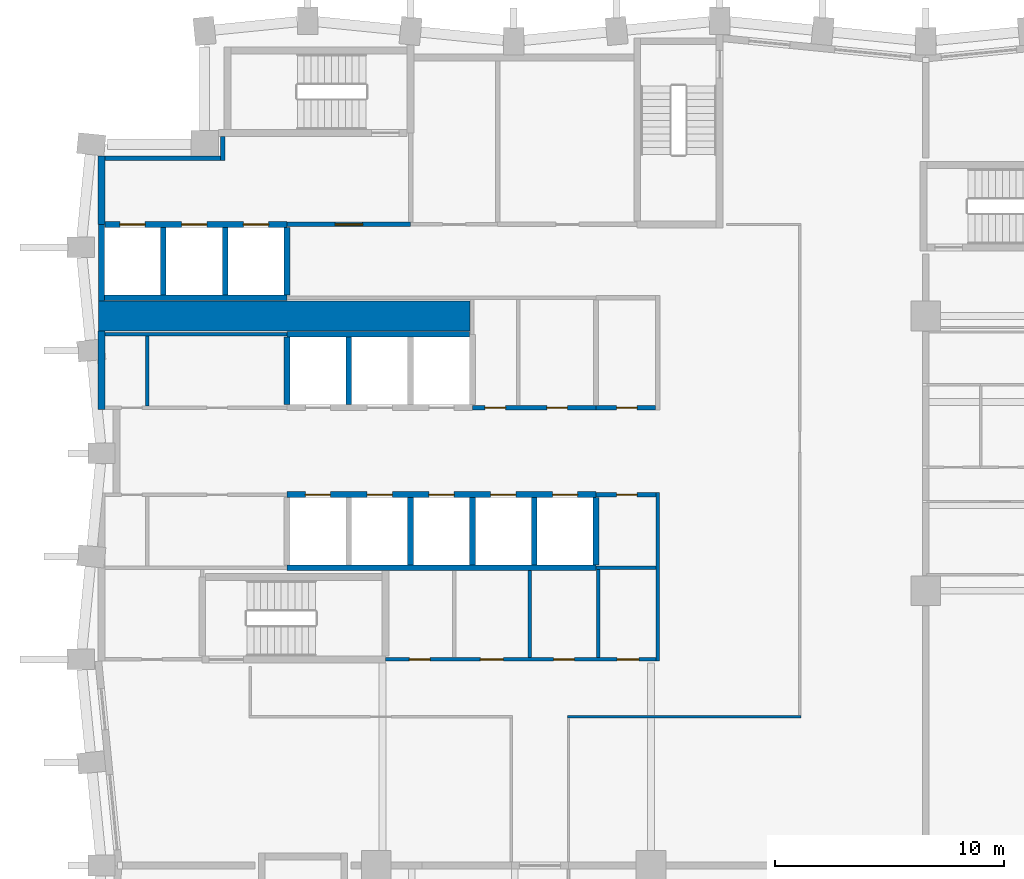
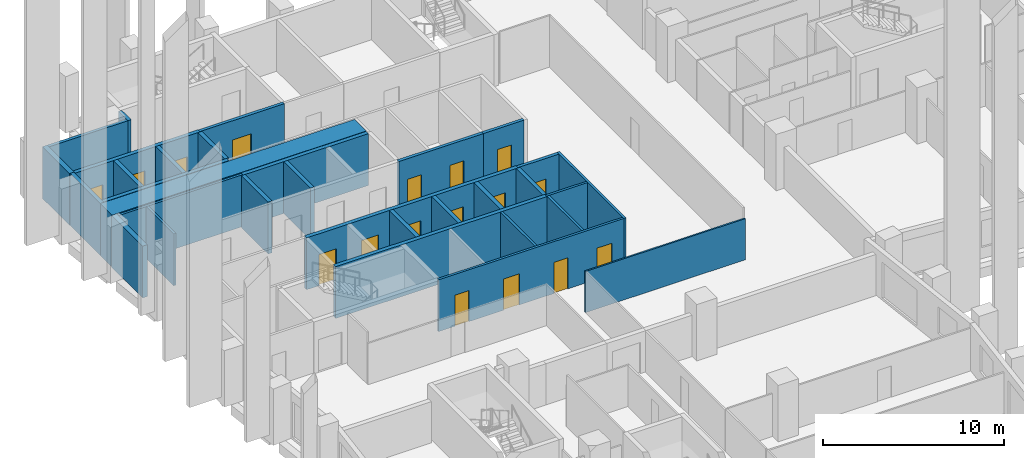
# One storey, part 6 of 12: 32 walls, 17 doors, 17 openings.
"""IFC4 building model written with IfcOpenShell, lengths in metres."""

from ifc_helpers import new_model, si_unit, direction, frame, frame_2d, origin, place, context, subcontext, project, spatial, rectangle, extrude, material, layer, layer_set, type_object, element, fill, save


model = new_model("IFC4")

# Units and contexts
model_context = context("Model", 3, precision=1e-05, world=origin(), true_north=direction((0.0, 1.0)))
body_context = subcontext(model_context, "Body", "Model", "MODEL_VIEW")
ifc_project = project(units=[si_unit("LENGTHUNIT", "METRE"), si_unit("AREAUNIT", "SQUARE_METRE"), si_unit("VOLUMEUNIT", "CUBIC_METRE"), si_unit("PLANEANGLEUNIT", "RADIAN"), si_unit("MASSUNIT", "GRAM", prefix="KILO")], contexts=[model_context])

# Site, building, storey
site_placement = place(None, origin())
site = spatial("IfcSite", under=ifc_project, at=site_placement, CompositionType="ELEMENT")
building_placement = place(site_placement, origin())
building = spatial("IfcBuilding", under=site, at=building_placement, Name="Brondeck Convention Tower", CompositionType="ELEMENT")
storey_placement = place(building_placement, frame((0.0, 0.0, 88.5)))
storey = spatial("IfcBuildingStorey", under=building, at=storey_placement, Name="L20", CompositionType="ELEMENT", Elevation=88.5)

# Wall, openings, doors
ifc_material_1 = material(Name="Concrete C70/85", Category="concrete")
ifc_layer_1 = layer(ifc_material_1, 0.14990234375)
ifc_layer_set_1 = layer_set([ifc_layer_1], Name="Core beam-seat wall 150 Concrete C70/85")
wall_type_1 = type_object("IfcWallType", Name="Core beam-seat wall 150 Concrete C70/85", PredefinedType="SHEAR", material=ifc_layer_set_1)
wall_1_placement = place(storey_placement, frame((12.39990234375, 36.0, 0.0), z_axis=(0.0, 0.0, 1.0), x_axis=(1.0, 0.0, 0.0)))
wall_1 = element("IfcWall", 1, at=wall_1_placement, inside=storey, type_object=wall_type_1, Name="L20 core wall", PredefinedType="SHEAR", context=body_context, shape_type="SweptSolid", body=[
    extrude(rectangle(XDim=11.8251953125, YDim=0.14990234375, at=frame_2d((5.91259765625, 0.0))), origin(), (0.0, 0.0, 1.0), 3.5),
])
opening_1_placement = place(wall_1_placement, frame((1.050048828125, 0.0, 0.0)))
opening_1 = element("IfcOpeningElement", 2, at=opening_1_placement, cuts=wall_1, Name="Opening C14-03", PredefinedType="OPENING", context=body_context, shape_type="SweptSolid", body=[
    extrude(rectangle(XDim=0.89990234375, YDim=2.10009765625, at=frame_2d((0.449951171875, 1.050048828125))), frame((0.0, 0.0849609375, 0.0), z_axis=(0.0, -1.0, 0.0), x_axis=(1.0, 0.0, 0.0)), (0.0, 0.0, 1.0), 0.169921875),
])
opening_2_placement = place(wall_1_placement, frame((4.14990234375, 0.0, 0.0)))
opening_2 = element("IfcOpeningElement", 3, at=opening_2_placement, cuts=wall_1, Name="Opening C14-04", PredefinedType="OPENING", context=body_context, shape_type="SweptSolid", body=[
    extrude(rectangle(XDim=1.0, YDim=2.10009765625, at=frame_2d((0.5, 1.050048828125))), frame((0.0, 0.0849609375, 0.0), z_axis=(0.0, -1.0, 0.0), x_axis=(1.0, 0.0, 0.0)), (0.0, 0.0, 1.0), 0.169921875),
])
opening_3_placement = place(wall_1_placement, frame((7.35009765625, 0.0, 0.0)))
opening_3 = element("IfcOpeningElement", 4, at=opening_3_placement, cuts=wall_1, Name="Opening C14-05", PredefinedType="OPENING", context=body_context, shape_type="SweptSolid", body=[
    extrude(rectangle(XDim=0.89990234375, YDim=2.10009765625, at=frame_2d((0.449951171875, 1.050048828125))), frame((0.0, 0.0849609375, 0.0), z_axis=(0.0, -1.0, 0.0), x_axis=(1.0, 0.0, 0.0)), (0.0, 0.0, 1.0), 0.169921875),
])
opening_4_placement = place(wall_1_placement, frame((10.125, 0.0, 0.0)))
opening_4 = element("IfcOpeningElement", 5, at=opening_4_placement, cuts=wall_1, Name="Opening C14-06", PredefinedType="OPENING", context=body_context, shape_type="SweptSolid", body=[
    extrude(rectangle(XDim=0.949951171875, YDim=2.10009765625, at=frame_2d((0.47509765625, 1.050048828125))), frame((0.0, 0.0849609375, 0.0), z_axis=(0.0, -1.0, 0.0), x_axis=(1.0, 0.0, 0.0)), (0.0, 0.0, 1.0), 0.169921875),
])
ifc_material_2 = material(Name="Steel fire door", Category="steel")
door_type_1 = type_object("IfcDoorType", Name="Room door 1000x2100 EI 60", OperationType="NOTDEFINED", PredefinedType="DOOR", material=ifc_material_2)
door_1_placement = place(opening_2_placement, origin())
door_1 = element("IfcDoor", 6, at=door_1_placement, inside=storey, type_object=door_type_1, Name="L20 Room door FR-2", OperationType="SINGLE_SWING_LEFT", OverallHeight=2.10009765625, OverallWidth=1.0, PredefinedType="DOOR", context=body_context, shape_type="SweptSolid", body=[
    extrude(rectangle(XDim=1.0, YDim=2.10009765625, at=frame_2d((0.5, 1.050048828125))), frame((0.0, 0.02490234375, 0.0), z_axis=(0.0, -1.0, 0.0), x_axis=(1.0, 0.0, 0.0)), (0.0, 0.0, 1.0), 0.050048828125),
])
fill(opening_2, door_1)
door_type_2 = type_object("IfcDoorType", Name="Room door 900x2100 EI 60", OperationType="NOTDEFINED", PredefinedType="DOOR", material=ifc_material_2)
door_2_placement = place(opening_1_placement, origin())
door_2 = element("IfcDoor", 7, at=door_2_placement, inside=storey, type_object=door_type_2, Name="L20 Room door FR-1", OperationType="SINGLE_SWING_RIGHT", OverallHeight=2.10009765625, OverallWidth=0.89990234375, PredefinedType="DOOR", context=body_context, shape_type="SweptSolid", body=[
    extrude(rectangle(XDim=0.89990234375, YDim=2.10009765625, at=frame_2d((0.449951171875, 1.050048828125))), frame((0.0, 0.02490234375, 0.0), z_axis=(0.0, -1.0, 0.0), x_axis=(1.0, 0.0, 0.0)), (0.0, 0.0, 1.0), 0.050048828125),
])
fill(opening_1, door_2)
door_3_placement = place(opening_3_placement, origin())
door_3 = element("IfcDoor", 8, at=door_3_placement, inside=storey, type_object=door_type_2, Name="L20 Room door FR-3", OperationType="SINGLE_SWING_RIGHT", OverallHeight=2.10009765625, OverallWidth=0.89990234375, PredefinedType="DOOR", context=body_context, shape_type="SweptSolid", body=[
    extrude(rectangle(XDim=0.89990234375, YDim=2.10009765625, at=frame_2d((0.449951171875, 1.050048828125))), frame((0.0, 0.02490234375, 0.0), z_axis=(0.0, -1.0, 0.0), x_axis=(1.0, 0.0, 0.0)), (0.0, 0.0, 1.0), 0.050048828125),
])
fill(opening_3, door_3)
door_type_3 = type_object("IfcDoorType", Name="Room door 950x2100 EI 60", OperationType="NOTDEFINED", PredefinedType="DOOR", material=ifc_material_2)
door_4_placement = place(opening_4_placement, origin())
door_4 = element("IfcDoor", 9, at=door_4_placement, inside=storey, type_object=door_type_3, Name="L20 Room door FR-4", OperationType="SINGLE_SWING_LEFT", OverallHeight=2.10009765625, OverallWidth=0.949951171875, PredefinedType="DOOR", context=body_context, shape_type="SweptSolid", body=[
    extrude(rectangle(XDim=0.949951171875, YDim=2.10009765625, at=frame_2d((0.47509765625, 1.050048828125))), frame((0.0, 0.02490234375, 0.0), z_axis=(0.0, -1.0, 0.0), x_axis=(1.0, 0.0, 0.0)), (0.0, 0.0, 1.0), 0.050048828125),
])
fill(opening_4, door_4)

# Walls
ifc_layer_2 = layer(ifc_material_1, 0.300048828125)
ifc_layer_set_2 = layer_set([ifc_layer_2], Name="Core outer wall 300 Concrete C70/85")
wall_type_2 = type_object("IfcWallType", Name="Core outer wall 300 Concrete C70/85", PredefinedType="SHEAR", material=ifc_layer_set_2)
wall_2_placement = place(storey_placement, frame((0.0, 46.925048828125, 0.0), z_axis=(0.0, 0.0, 1.0), x_axis=(0.0, 1.0, 0.0)))
element("IfcWall", 10, at=wall_2_placement, inside=storey, type_object=wall_type_2, Name="L20 core wall", PredefinedType="SHEAR", context=body_context, shape_type="SweptSolid", body=[
    extrude(rectangle(XDim=3.425048828125, YDim=0.300048828125, at=frame_2d((1.71240234375, 0.0))), origin(), (0.0, 0.0, 1.0), 3.5),
])
wall_3_placement = place(storey_placement, frame((0.0, 55.0, 0.0), z_axis=(0.0, 0.0, 1.0), x_axis=(0.0, 1.0, 0.0)))
element("IfcWall", 11, at=wall_3_placement, inside=storey, type_object=wall_type_2, Name="L20 core wall", PredefinedType="SHEAR", context=body_context, shape_type="SweptSolid", body=[
    extrude(rectangle(XDim=3.0, YDim=0.300048828125, at=frame_2d((1.5, 0.0))), origin(), (0.0, 0.0, 1.0), 3.5),
])
ifc_material_3 = material(Name="Fire-rated gypsum board partition")
ifc_layer_3 = layer(ifc_material_3, 0.14990234375)
ifc_layer_set_3 = layer_set([ifc_layer_3], Name="Core partition 150 EI 60")
wall_type_3 = type_object("IfcWallType", Name="Core partition 150 EI 60", PredefinedType="PARTITIONING", material=ifc_layer_set_3)
wall_4_placement = place(storey_placement, frame((21.60009765625, 40.0, 0.0), z_axis=(0.0, 0.0, 1.0), x_axis=(1.0, 0.0, 0.0)))
element("IfcWall", 12, at=wall_4_placement, inside=storey, type_object=wall_type_3, Name="L20 core wall", PredefinedType="PARTITIONING", context=body_context, shape_type="SweptSolid", body=[
    extrude(rectangle(XDim=2.625, YDim=0.14990234375, at=frame_2d((1.3125, 0.0))), origin(), (0.0, 0.0, 1.0), 3.5),
])
wall_5_placement = place(storey_placement, frame((0.14990234375, 50.199951171875, 0.0), z_axis=(0.0, 0.0, 1.0), x_axis=(1.0, 0.0, 0.0)))
element("IfcWall", 13, at=wall_5_placement, inside=storey, type_object=wall_type_3, Name="L20 core wall", PredefinedType="PARTITIONING", context=body_context, shape_type="SweptSolid", body=[
    extrude(rectangle(XDim=7.9501953125, YDim=0.14990234375, at=frame_2d((3.97509765625, 0.0))), origin(), (0.0, 0.0, 1.0), 3.5),
])
wall_6_placement = place(storey_placement, frame((2.0, 47.074951171875, 0.0), z_axis=(0.0, 0.0, 1.0), x_axis=(0.0, 1.0, 0.0)))
element("IfcWall", 14, at=wall_6_placement, inside=storey, type_object=wall_type_3, Name="L20 core wall", PredefinedType="PARTITIONING", context=body_context, shape_type="SweptSolid", body=[
    extrude(rectangle(XDim=3.050048828125, YDim=0.14990234375, at=frame_2d((1.52490234375, 0.0))), origin(), (0.0, 0.0, 1.0), 3.5),
])
wall_7_placement = place(storey_placement, frame((18.699951171875, 36.074951171875, 0.0), z_axis=(0.0, 0.0, 1.0), x_axis=(0.0, 1.0, 0.0)))
element("IfcWall", 15, at=wall_7_placement, inside=storey, type_object=wall_type_3, Name="L20 core wall", PredefinedType="PARTITIONING", context=body_context, shape_type="SweptSolid", body=[
    extrude(rectangle(XDim=3.800048828125, YDim=0.14990234375, at=frame_2d((1.89990234375, 0.0))), origin(), (0.0, 0.0, 1.0), 3.5),
])
wall_8_placement = place(storey_placement, frame((21.699951171875, 36.074951171875, 0.0), z_axis=(0.0, 0.0, 1.0), x_axis=(0.0, 1.0, 0.0)))
element("IfcWall", 16, at=wall_8_placement, inside=storey, type_object=wall_type_3, Name="L20 core wall", PredefinedType="PARTITIONING", context=body_context, shape_type="SweptSolid", body=[
    extrude(rectangle(XDim=3.85009765625, YDim=0.14990234375, at=frame_2d((1.925048828125, 0.0))), origin(), (0.0, 0.0, 1.0), 3.5),
])
wall_9_placement = place(storey_placement, frame((24.300048828125, 35.925048828125, 0.0), z_axis=(0.0, 0.0, 1.0), x_axis=(0.0, 1.0, 0.0)))
element("IfcWall", 17, at=wall_9_placement, inside=storey, type_object=wall_type_3, Name="L20 core wall", PredefinedType="PARTITIONING", context=body_context, shape_type="SweptSolid", body=[
    extrude(rectangle(XDim=7.375, YDim=0.14990234375, at=frame_2d((3.6875, 0.0))), origin(), (0.0, 0.0, 1.0), 3.5),
])
ifc_layer_4 = layer(ifc_material_1, 1.300048828125)
ifc_layer_set_4 = layer_set([ifc_layer_4], Name="Core shear wall 1300 Concrete C70/85")
wall_type_4 = type_object("IfcWallType", Name="Core shear wall 1300 Concrete C70/85", PredefinedType="SHEAR", material=ifc_layer_set_4)
wall_10_placement = place(storey_placement, frame((-0.125, 51.0, 0.0), z_axis=(0.0, 0.0, 1.0), x_axis=(1.0, 0.0, 0.0)))
element("IfcWall", 18, at=wall_10_placement, inside=storey, type_object=wall_type_4, Name="L20 core wall", PredefinedType="SHEAR", context=body_context, shape_type="SweptSolid", body=[
    extrude(rectangle(XDim=16.22509765625, YDim=1.300048828125, at=frame_2d((8.112548828125, 0.0))), origin(), (0.0, 0.0, 1.0), 3.5),
])

# Wall, opening, door
ifc_layer_5 = layer(ifc_material_3, 0.199951171875)
ifc_layer_set_5 = layer_set([ifc_layer_5], Name="Firefighting lobby wall 200 EI 120")
wall_type_5 = type_object("IfcWallType", Name="Firefighting lobby wall 200 EI 120", PredefinedType="PARTITIONING", material=ifc_layer_set_5)
wall_11_placement = place(storey_placement, frame((8.10009765625, 55.0, 0.0), z_axis=(0.0, 0.0, 1.0), x_axis=(1.0, 0.0, 0.0)))
wall_11 = element("IfcWall", 19, at=wall_11_placement, inside=storey, type_object=wall_type_5, Name="L20 core wall", PredefinedType="PARTITIONING", context=body_context, shape_type="SweptSolid", body=[
    extrude(rectangle(XDim=5.39990234375, YDim=0.199951171875, at=frame_2d((2.699951171875, 0.0))), origin(), (0.0, 0.0, 1.0), 3.5),
])
opening_5_placement = place(wall_11_placement, frame((2.10009765625, 0.0, 0.0)))
opening_5 = element("IfcOpeningElement", 20, at=opening_5_placement, cuts=wall_11, Name="Opening C14-01", PredefinedType="OPENING", context=body_context, shape_type="SweptSolid", body=[
    extrude(rectangle(XDim=1.199951171875, YDim=2.199951171875, at=frame_2d((0.60009765625, 1.10009765625))), frame((0.0, 0.10986328125, 0.0), z_axis=(0.0, -1.0, 0.0), x_axis=(1.0, 0.0, 0.0)), (0.0, 0.0, 1.0), 0.219970703125),
])
door_type_4 = type_object("IfcDoorType", Name="Firefighting lobby door 1200x2200 EI 120", OperationType="NOTDEFINED", PredefinedType="DOOR", material=ifc_material_2)
door_5_placement = place(opening_5_placement, origin())
door_5 = element("IfcDoor", 21, at=door_5_placement, inside=storey, type_object=door_type_4, Name="L20 Firefighting lobby door FFL-1", OperationType="SINGLE_SWING_RIGHT", OverallHeight=2.199951171875, OverallWidth=1.199951171875, PredefinedType="DOOR", context=body_context, shape_type="SweptSolid", body=[
    extrude(rectangle(XDim=1.199951171875, YDim=2.199951171875, at=frame_2d((0.60009765625, 1.10009765625))), frame((0.0, 0.02490234375, 0.0), z_axis=(0.0, -1.0, 0.0), x_axis=(1.0, 0.0, 0.0)), (0.0, 0.0, 1.0), 0.050048828125),
])
fill(opening_5, door_5)

# Walls
wall_12_placement = place(storey_placement, frame((0.14990234375, 57.89990234375, 0.0), z_axis=(0.0, 0.0, 1.0), x_axis=(1.0, 0.0, 0.0)))
element("IfcWall", 22, at=wall_12_placement, inside=storey, type_object=wall_type_5, Name="L20 core wall", PredefinedType="PARTITIONING", context=body_context, shape_type="SweptSolid", body=[
    extrude(rectangle(XDim=5.050048828125, YDim=0.199951171875, at=frame_2d((2.52490234375, 0.0))), origin(), (0.0, 0.0, 1.0), 3.5),
])
wall_13_placement = place(storey_placement, frame((5.300048828125, 57.800048828125, 0.0), z_axis=(0.0, 0.0, 1.0), x_axis=(0.0, 1.0, 0.0)))
element("IfcWall", 23, at=wall_13_placement, inside=storey, type_object=wall_type_5, Name="L20 core wall", PredefinedType="PARTITIONING", context=body_context, shape_type="SweptSolid", body=[
    extrude(rectangle(XDim=1.050048828125, YDim=0.199951171875, at=frame_2d((0.52490234375, 0.0))), origin(), (0.0, 0.0, 1.0), 3.5),
])

# Wall, opening, door
ifc_layer_6 = layer(ifc_material_3, 0.199951171875)
ifc_layer_set_6 = layer_set([ifc_layer_6], Name="Lift lobby wall 200 EI 60")
wall_type_6 = type_object("IfcWallType", Name="Lift lobby wall 200 EI 60", PredefinedType="PARTITIONING", material=ifc_layer_set_6)
wall_14_placement = place(storey_placement, frame((21.60009765625, 43.199951171875, 0.0), z_axis=(0.0, 0.0, 1.0), x_axis=(1.0, 0.0, 0.0)))
wall_14 = element("IfcWall", 24, at=wall_14_placement, inside=storey, type_object=wall_type_6, Name="L20 core wall", PredefinedType="PARTITIONING", context=body_context, shape_type="SweptSolid", body=[
    extrude(rectangle(XDim=2.625, YDim=0.199951171875, at=frame_2d((1.3125, 0.0))), origin(), (0.0, 0.0, 1.0), 3.5),
])
opening_6_placement = place(wall_14_placement, frame((0.89990234375, 0.0, 0.0)))
opening_6 = element("IfcOpeningElement", 25, at=opening_6_placement, cuts=wall_14, Name="Opening C14-14", PredefinedType="OPENING", context=body_context, shape_type="SweptSolid", body=[
    extrude(rectangle(XDim=0.89990234375, YDim=2.10009765625, at=frame_2d((0.449951171875, 1.050048828125))), frame((0.0, 0.10986328125, 0.0), z_axis=(0.0, -1.0, 0.0), x_axis=(1.0, 0.0, 0.0)), (0.0, 0.0, 1.0), 0.219970703125),
])
door_6_placement = place(opening_6_placement, origin())
door_6 = element("IfcDoor", 26, at=door_6_placement, inside=storey, type_object=door_type_2, Name="L20 Room door FZ-S-21.6-1", OperationType="SINGLE_SWING_RIGHT", OverallHeight=2.10009765625, OverallWidth=0.89990234375, PredefinedType="DOOR", context=body_context, shape_type="SweptSolid", body=[
    extrude(rectangle(XDim=0.89990234375, YDim=2.10009765625, at=frame_2d((0.449951171875, 1.050048828125))), frame((0.0, 0.02490234375, 0.0), z_axis=(0.0, -1.0, 0.0), x_axis=(1.0, 0.0, 0.0)), (0.0, 0.0, 1.0), 0.050048828125),
])
fill(opening_6, door_6)

# Wall, openings, doors
wall_15_placement = place(storey_placement, frame((16.199951171875, 47.0, 0.0), z_axis=(0.0, 0.0, 1.0), x_axis=(1.0, 0.0, 0.0)))
wall_15 = element("IfcWall", 27, at=wall_15_placement, inside=storey, type_object=wall_type_6, Name="L20 core wall", PredefinedType="PARTITIONING", context=body_context, shape_type="SweptSolid", body=[
    extrude(rectangle(XDim=5.400146484375, YDim=0.199951171875, at=frame_2d((2.7001953125, 0.0))), origin(), (0.0, 0.0, 1.0), 3.5),
])
opening_7_placement = place(wall_15_placement, frame((0.550048828125, 0.0, 0.0)))
opening_7 = element("IfcOpeningElement", 28, at=opening_7_placement, cuts=wall_15, Name="Opening C14-10", PredefinedType="OPENING", context=body_context, shape_type="SweptSolid", body=[
    extrude(rectangle(XDim=0.89990234375, YDim=2.10009765625, at=frame_2d((0.449951171875, 1.050048828125))), frame((0.0, 0.10986328125, 0.0), z_axis=(0.0, -1.0, 0.0), x_axis=(1.0, 0.0, 0.0)), (0.0, 0.0, 1.0), 0.219970703125),
])
opening_8_placement = place(wall_15_placement, frame((3.25, 0.0, 0.0)))
opening_8 = element("IfcOpeningElement", 29, at=opening_8_placement, cuts=wall_15, Name="Opening C14-11", PredefinedType="OPENING", context=body_context, shape_type="SweptSolid", body=[
    extrude(rectangle(XDim=0.89990234375, YDim=2.10009765625, at=frame_2d((0.449951171875, 1.050048828125))), frame((0.0, 0.10986328125, 0.0), z_axis=(0.0, -1.0, 0.0), x_axis=(1.0, 0.0, 0.0)), (0.0, 0.0, 1.0), 0.219970703125),
])
door_7_placement = place(opening_7_placement, origin())
door_7 = element("IfcDoor", 30, at=door_7_placement, inside=storey, type_object=door_type_2, Name="L20 Room door FZ-N-16.2-1", OperationType="SINGLE_SWING_LEFT", OverallHeight=2.10009765625, OverallWidth=0.89990234375, PredefinedType="DOOR", context=body_context, shape_type="SweptSolid", body=[
    extrude(rectangle(XDim=0.89990234375, YDim=2.10009765625, at=frame_2d((0.449951171875, 1.050048828125))), frame((0.0, 0.02490234375, 0.0), z_axis=(0.0, -1.0, 0.0), x_axis=(1.0, 0.0, 0.0)), (0.0, 0.0, 1.0), 0.050048828125),
])
fill(opening_7, door_7)
door_8_placement = place(opening_8_placement, origin())
door_8 = element("IfcDoor", 31, at=door_8_placement, inside=storey, type_object=door_type_2, Name="L20 Room door FZ-N-16.2-2", OperationType="SINGLE_SWING_RIGHT", OverallHeight=2.10009765625, OverallWidth=0.89990234375, PredefinedType="DOOR", context=body_context, shape_type="SweptSolid", body=[
    extrude(rectangle(XDim=0.89990234375, YDim=2.10009765625, at=frame_2d((0.449951171875, 1.050048828125))), frame((0.0, 0.02490234375, 0.0), z_axis=(0.0, -1.0, 0.0), x_axis=(1.0, 0.0, 0.0)), (0.0, 0.0, 1.0), 0.050048828125),
])
fill(opening_8, door_8)

# Wall
ifc_layer_7 = layer(ifc_material_1, 0.25)
ifc_layer_set_7 = layer_set([ifc_layer_7], Name="Lift shaft wall 250 Concrete C70/85")
wall_type_7 = type_object("IfcWallType", Name="Lift shaft wall 250 Concrete C70/85", PredefinedType="SHEAR", material=ifc_layer_set_7)
wall_16_placement = place(storey_placement, frame((8.10009765625, 40.0, 0.0), z_axis=(0.0, 0.0, 1.0), x_axis=(1.0, 0.0, 0.0)))
element("IfcWall", 32, at=wall_16_placement, inside=storey, type_object=wall_type_7, Name="L20 core wall", PredefinedType="SHEAR", context=body_context, shape_type="SweptSolid", body=[
    extrude(rectangle(XDim=13.5, YDim=0.25, at=frame_2d((6.75, 0.0))), origin(), (0.0, 0.0, 1.0), 3.5),
])

# Wall, openings, doors
wall_17_placement = place(storey_placement, frame((8.10009765625, 43.199951171875, 0.0), z_axis=(0.0, 0.0, 1.0), x_axis=(1.0, 0.0, 0.0)))
wall_17 = element("IfcWall", 33, at=wall_17_placement, inside=storey, type_object=wall_type_7, Name="L20 core wall", PredefinedType="SHEAR", context=body_context, shape_type="SweptSolid", body=[
    extrude(rectangle(XDim=13.5, YDim=0.25, at=frame_2d((6.75, 0.0))), origin(), (0.0, 0.0, 1.0), 3.5),
])
opening_9_placement = place(wall_17_placement, frame((0.800048828125, 0.0, 0.0)))
opening_9 = element("IfcOpeningElement", 34, at=opening_9_placement, cuts=wall_17, Name="Opening C14-27", PredefinedType="OPENING", context=body_context, shape_type="SweptSolid", body=[
    extrude(rectangle(XDim=1.10009765625, YDim=2.10009765625, at=frame_2d((0.550048828125, 1.050048828125))), frame((0.0, 0.135009765625, 0.0), z_axis=(0.0, -1.0, 0.0), x_axis=(1.0, 0.0, 0.0)), (0.0, 0.0, 1.0), 0.27001953125),
])
opening_10_placement = place(wall_17_placement, frame((3.5, 0.0, 0.0)))
opening_10 = element("IfcOpeningElement", 35, at=opening_10_placement, cuts=wall_17, Name="Opening C14-28", PredefinedType="OPENING", context=body_context, shape_type="SweptSolid", body=[
    extrude(rectangle(XDim=1.10009765625, YDim=2.10009765625, at=frame_2d((0.550048828125, 1.050048828125))), frame((0.0, 0.135009765625, 0.0), z_axis=(0.0, -1.0, 0.0), x_axis=(1.0, 0.0, 0.0)), (0.0, 0.0, 1.0), 0.27001953125),
])
opening_11_placement = place(wall_17_placement, frame((6.199951171875, 0.0, 0.0)))
opening_11 = element("IfcOpeningElement", 36, at=opening_11_placement, cuts=wall_17, Name="Opening C14-29", PredefinedType="OPENING", context=body_context, shape_type="SweptSolid", body=[
    extrude(rectangle(XDim=1.10009765625, YDim=2.10009765625, at=frame_2d((0.550048828125, 1.050048828125))), frame((0.0, 0.135009765625, 0.0), z_axis=(0.0, -1.0, 0.0), x_axis=(1.0, 0.0, 0.0)), (0.0, 0.0, 1.0), 0.27001953125),
])
opening_12_placement = place(wall_17_placement, frame((8.89990234375, 0.0, 0.0)))
opening_12 = element("IfcOpeningElement", 37, at=opening_12_placement, cuts=wall_17, Name="Opening C14-33", PredefinedType="OPENING", context=body_context, shape_type="SweptSolid", body=[
    extrude(rectangle(XDim=1.10009765625, YDim=2.10009765625, at=frame_2d((0.550048828125, 1.050048828125))), frame((0.0, 0.135009765625, 0.0), z_axis=(0.0, -1.0, 0.0), x_axis=(1.0, 0.0, 0.0)), (0.0, 0.0, 1.0), 0.27001953125),
])
opening_13_placement = place(wall_17_placement, frame((11.60009765625, 0.0, 0.0)))
opening_13 = element("IfcOpeningElement", 38, at=opening_13_placement, cuts=wall_17, Name="Opening C14-34", PredefinedType="OPENING", context=body_context, shape_type="SweptSolid", body=[
    extrude(rectangle(XDim=1.10009765625, YDim=2.10009765625, at=frame_2d((0.550048828125, 1.050048828125))), frame((0.0, 0.135009765625, 0.0), z_axis=(0.0, -1.0, 0.0), x_axis=(1.0, 0.0, 0.0)), (0.0, 0.0, 1.0), 0.27001953125),
])
ifc_material_4 = material(Name="Stainless steel lift door", Category="steel")
door_type_5 = type_object("IfcDoorType", Name="Lift landing door 1100x2100 EI 180", OperationType="DOUBLE_DOOR_SLIDING", PredefinedType="DOOR", material=ifc_material_4)
door_9_placement = place(opening_9_placement, origin())
door_9 = element("IfcDoor", 39, at=door_9_placement, inside=storey, type_object=door_type_5, Name="L20 Lift landing door LR1", OperationType="DOUBLE_DOOR_SLIDING", OverallHeight=2.10009765625, OverallWidth=1.10009765625, PredefinedType="DOOR", context=body_context, shape_type="SweptSolid", body=[
    extrude(rectangle(XDim=1.10009765625, YDim=2.10009765625, at=frame_2d((0.550048828125, 1.050048828125))), frame((0.0, 0.02490234375, 0.0), z_axis=(0.0, -1.0, 0.0), x_axis=(1.0, 0.0, 0.0)), (0.0, 0.0, 1.0), 0.050048828125),
])
fill(opening_9, door_9)
door_10_placement = place(opening_10_placement, origin())
door_10 = element("IfcDoor", 40, at=door_10_placement, inside=storey, type_object=door_type_5, Name="L20 Lift landing door LR2", OperationType="DOUBLE_DOOR_SLIDING", OverallHeight=2.10009765625, OverallWidth=1.10009765625, PredefinedType="DOOR", context=body_context, shape_type="SweptSolid", body=[
    extrude(rectangle(XDim=1.10009765625, YDim=2.10009765625, at=frame_2d((0.550048828125, 1.050048828125))), frame((0.0, 0.02490234375, 0.0), z_axis=(0.0, -1.0, 0.0), x_axis=(1.0, 0.0, 0.0)), (0.0, 0.0, 1.0), 0.050048828125),
])
fill(opening_10, door_10)
door_11_placement = place(opening_11_placement, origin())
door_11 = element("IfcDoor", 41, at=door_11_placement, inside=storey, type_object=door_type_5, Name="L20 Lift landing door LR3", OperationType="DOUBLE_DOOR_SLIDING", OverallHeight=2.10009765625, OverallWidth=1.10009765625, PredefinedType="DOOR", context=body_context, shape_type="SweptSolid", body=[
    extrude(rectangle(XDim=1.10009765625, YDim=2.10009765625, at=frame_2d((0.550048828125, 1.050048828125))), frame((0.0, 0.02490234375, 0.0), z_axis=(0.0, -1.0, 0.0), x_axis=(1.0, 0.0, 0.0)), (0.0, 0.0, 1.0), 0.050048828125),
])
fill(opening_11, door_11)
door_12_placement = place(opening_12_placement, origin())
door_12 = element("IfcDoor", 42, at=door_12_placement, inside=storey, type_object=door_type_5, Name="L20 Lift landing door SH1", OperationType="DOUBLE_DOOR_SLIDING", OverallHeight=2.10009765625, OverallWidth=1.10009765625, PredefinedType="DOOR", context=body_context, shape_type="SweptSolid", body=[
    extrude(rectangle(XDim=1.10009765625, YDim=2.10009765625, at=frame_2d((0.550048828125, 1.050048828125))), frame((0.0, 0.02490234375, 0.0), z_axis=(0.0, -1.0, 0.0), x_axis=(1.0, 0.0, 0.0)), (0.0, 0.0, 1.0), 0.050048828125),
])
fill(opening_12, door_12)
door_13_placement = place(opening_13_placement, origin())
door_13 = element("IfcDoor", 43, at=door_13_placement, inside=storey, type_object=door_type_5, Name="L20 Lift landing door SH2", OperationType="DOUBLE_DOOR_SLIDING", OverallHeight=2.10009765625, OverallWidth=1.10009765625, PredefinedType="DOOR", context=body_context, shape_type="SweptSolid", body=[
    extrude(rectangle(XDim=1.10009765625, YDim=2.10009765625, at=frame_2d((0.550048828125, 1.050048828125))), frame((0.0, 0.02490234375, 0.0), z_axis=(0.0, -1.0, 0.0), x_axis=(1.0, 0.0, 0.0)), (0.0, 0.0, 1.0), 0.050048828125),
])
fill(opening_13, door_13)

# Walls
wall_18_placement = place(storey_placement, frame((8.10009765625, 50.199951171875, 0.0), z_axis=(0.0, 0.0, 1.0), x_axis=(1.0, 0.0, 0.0)))
element("IfcWall", 44, at=wall_18_placement, inside=storey, type_object=wall_type_7, Name="L20 core wall", PredefinedType="SHEAR", context=body_context, shape_type="SweptSolid", body=[
    extrude(rectangle(XDim=7.974853515625, YDim=0.25, at=frame_2d((3.9873046875, 0.0))), origin(), (0.0, 0.0, 1.0), 3.5),
])
wall_19_placement = place(storey_placement, frame((0.125, 51.800048828125, 0.0), z_axis=(0.0, 0.0, 1.0), x_axis=(1.0, 0.0, 0.0)))
element("IfcWall", 45, at=wall_19_placement, inside=storey, type_object=wall_type_7, Name="L20 core wall", PredefinedType="SHEAR", context=body_context, shape_type="SweptSolid", body=[
    extrude(rectangle(XDim=7.97509765625, YDim=0.25, at=frame_2d((3.987548828125, 0.0))), origin(), (0.0, 0.0, 1.0), 3.5),
])

# Wall, openings, doors
wall_20_placement = place(storey_placement, frame((0.14990234375, 55.0, 0.0), z_axis=(0.0, 0.0, 1.0), x_axis=(1.0, 0.0, 0.0)))
wall_20 = element("IfcWall", 46, at=wall_20_placement, inside=storey, type_object=wall_type_7, Name="L20 core wall", PredefinedType="SHEAR", context=body_context, shape_type="SweptSolid", body=[
    extrude(rectangle(XDim=7.9501953125, YDim=0.25, at=frame_2d((3.97509765625, 0.0))), origin(), (0.0, 0.0, 1.0), 3.5),
])
opening_14_placement = place(wall_20_placement, frame((0.64990234375, 0.0, 0.0)))
opening_14 = element("IfcOpeningElement", 47, at=opening_14_placement, cuts=wall_20, Name="Opening C14-24", PredefinedType="OPENING", context=body_context, shape_type="SweptSolid", body=[
    extrude(rectangle(XDim=1.10009765625, YDim=2.10009765625, at=frame_2d((0.550048828125, 1.050048828125))), frame((0.0, 0.135009765625, 0.0), z_axis=(0.0, -1.0, 0.0), x_axis=(1.0, 0.0, 0.0)), (0.0, 0.0, 1.0), 0.27001953125),
])
opening_15_placement = place(wall_20_placement, frame((3.35009765625, 0.0, 0.0)))
opening_15 = element("IfcOpeningElement", 48, at=opening_15_placement, cuts=wall_20, Name="Opening C14-25", PredefinedType="OPENING", context=body_context, shape_type="SweptSolid", body=[
    extrude(rectangle(XDim=1.10009765625, YDim=2.10009765625, at=frame_2d((0.550048828125, 1.050048828125))), frame((0.0, 0.135009765625, 0.0), z_axis=(0.0, -1.0, 0.0), x_axis=(1.0, 0.0, 0.0)), (0.0, 0.0, 1.0), 0.27001953125),
])
opening_16_placement = place(wall_20_placement, frame((6.050048828125, 0.0, 0.0)))
opening_16 = element("IfcOpeningElement", 49, at=opening_16_placement, cuts=wall_20, Name="Opening C14-26", PredefinedType="OPENING", context=body_context, shape_type="SweptSolid", body=[
    extrude(rectangle(XDim=1.10009765625, YDim=2.10009765625, at=frame_2d((0.550048828125, 1.050048828125))), frame((0.0, 0.135009765625, 0.0), z_axis=(0.0, -1.0, 0.0), x_axis=(1.0, 0.0, 0.0)), (0.0, 0.0, 1.0), 0.27001953125),
])
door_14_placement = place(opening_14_placement, origin())
door_14 = element("IfcDoor", 50, at=door_14_placement, inside=storey, type_object=door_type_5, Name="L20 Lift landing door FF1", OperationType="DOUBLE_DOOR_SLIDING", OverallHeight=2.10009765625, OverallWidth=1.10009765625, PredefinedType="DOOR", context=body_context, shape_type="SweptSolid", body=[
    extrude(rectangle(XDim=1.10009765625, YDim=2.10009765625, at=frame_2d((0.550048828125, 1.050048828125))), frame((0.0, 0.02490234375, 0.0), z_axis=(0.0, -1.0, 0.0), x_axis=(1.0, 0.0, 0.0)), (0.0, 0.0, 1.0), 0.050048828125),
])
fill(opening_14, door_14)
door_15_placement = place(opening_15_placement, origin())
door_15 = element("IfcDoor", 51, at=door_15_placement, inside=storey, type_object=door_type_5, Name="L20 Lift landing door FF2", OperationType="DOUBLE_DOOR_SLIDING", OverallHeight=2.10009765625, OverallWidth=1.10009765625, PredefinedType="DOOR", context=body_context, shape_type="SweptSolid", body=[
    extrude(rectangle(XDim=1.10009765625, YDim=2.10009765625, at=frame_2d((0.550048828125, 1.050048828125))), frame((0.0, 0.02490234375, 0.0), z_axis=(0.0, -1.0, 0.0), x_axis=(1.0, 0.0, 0.0)), (0.0, 0.0, 1.0), 0.050048828125),
])
fill(opening_15, door_15)
door_16_placement = place(opening_16_placement, origin())
door_16 = element("IfcDoor", 52, at=door_16_placement, inside=storey, type_object=door_type_5, Name="L20 Lift landing door FF3", OperationType="DOUBLE_DOOR_SLIDING", OverallHeight=2.10009765625, OverallWidth=1.10009765625, PredefinedType="DOOR", context=body_context, shape_type="SweptSolid", body=[
    extrude(rectangle(XDim=1.10009765625, YDim=2.10009765625, at=frame_2d((0.550048828125, 1.050048828125))), frame((0.0, 0.02490234375, 0.0), z_axis=(0.0, -1.0, 0.0), x_axis=(1.0, 0.0, 0.0)), (0.0, 0.0, 1.0), 0.050048828125),
])
fill(opening_16, door_16)

# Walls
wall_21_placement = place(storey_placement, frame((0.0, 51.64990234375, 0.0), z_axis=(0.0, 0.0, 1.0), x_axis=(0.0, 1.0, 0.0)))
element("IfcWall", 53, at=wall_21_placement, inside=storey, type_object=wall_type_7, Name="L20 core wall", PredefinedType="SHEAR", context=body_context, shape_type="SweptSolid", body=[
    extrude(rectangle(XDim=3.35009765625, YDim=0.25, at=frame_2d((1.675048828125, 0.0))), origin(), (0.0, 0.0, 1.0), 3.5),
])
for number, where, z_axis, x_axis, name in (
    (54, (2.699951171875, 51.925048828125, 0.0), (0.0, 0.0, 1.0), (0.0, 1.0, 0.0), "L20 core wall"),
    (55, (5.39990234375, 51.925048828125, 0.0), (0.0, 0.0, 1.0), (0.0, 1.0, 0.0), "L20 core wall"),
    (56, (8.10009765625, 47.125, 0.0), (0.0, 0.0, 1.0), (0.0, 1.0, 0.0), "L20 core wall"),
    (57, (8.10009765625, 51.925048828125, 0.0), (0.0, 0.0, 1.0), (0.0, 1.0, 0.0), "L20 core wall"),
    (58, (10.800048828125, 47.125, 0.0), (0.0, 0.0, 1.0), (0.0, 1.0, 0.0), "L20 core wall"),
    (59, (13.5, 40.125, 0.0), (0.0, 0.0, 1.0), (0.0, 1.0, 0.0), "L20 core wall"),
    (60, (16.199951171875, 40.125, 0.0), (0.0, 0.0, 1.0), (0.0, 1.0, 0.0), "L20 core wall"),
    (61, (18.89990234375, 40.125, 0.0), (0.0, 0.0, 1.0), (0.0, 1.0, 0.0), "L20 core wall"),
    (62, (21.60009765625, 40.125, 0.0), (0.0, 0.0, 1.0), (0.0, 1.0, 0.0), "L20 core wall"),
):
    element("IfcWall", number, at=place(storey_placement, frame(where, z_axis=z_axis, x_axis=x_axis)), inside=storey, type_object=wall_type_7, Name=name, PredefinedType="SHEAR", context=body_context, shape_type="SweptSolid", body=[
        extrude(rectangle(XDim=2.949951171875, YDim=0.25, at=frame_2d((1.47509765625, 0.0))), origin(), (0.0, 0.0, 1.0), 3.5),
    ])

# Wall, opening, door
ifc_layer_8 = layer(ifc_material_3, 0.199951171875)
ifc_layer_set_8 = layer_set([ifc_layer_8], Name="Riser wall 200 EI 120")
wall_type_8 = type_object("IfcWallType", Name="Riser wall 200 EI 120", PredefinedType="PARTITIONING", material=ifc_layer_set_8)
wall_22_placement = place(storey_placement, frame((21.60009765625, 47.0, 0.0), z_axis=(0.0, 0.0, 1.0), x_axis=(1.0, 0.0, 0.0)))
wall_22 = element("IfcWall", 63, at=wall_22_placement, inside=storey, type_object=wall_type_8, Name="L20 core wall", PredefinedType="PARTITIONING", context=body_context, shape_type="SweptSolid", body=[
    extrude(rectangle(XDim=2.599853515625, YDim=0.199951171875, at=frame_2d((1.2998046875, 0.0))), origin(), (0.0, 0.0, 1.0), 3.5),
])
opening_17_placement = place(wall_22_placement, frame((0.89990234375, 0.0, 0.0)))
opening_17 = element("IfcOpeningElement", 64, at=opening_17_placement, cuts=wall_22, Name="Opening C14-02", PredefinedType="OPENING", context=body_context, shape_type="SweptSolid", body=[
    extrude(rectangle(XDim=0.89990234375, YDim=2.10009765625, at=frame_2d((0.449951171875, 1.050048828125))), frame((0.0, 0.10986328125, 0.0), z_axis=(0.0, -1.0, 0.0), x_axis=(1.0, 0.0, 0.0)), (0.0, 0.0, 1.0), 0.219970703125),
])
door_type_6 = type_object("IfcDoorType", Name="Riser door 900x2100 EI 120", OperationType="NOTDEFINED", PredefinedType="DOOR", material=ifc_material_2)
door_17_placement = place(opening_17_placement, origin())
door_17 = element("IfcDoor", 65, at=door_17_placement, inside=storey, type_object=door_type_6, Name="L20 Riser door EN-1", OperationType="SINGLE_SWING_LEFT", OverallHeight=2.10009765625, OverallWidth=0.89990234375, PredefinedType="DOOR", context=body_context, shape_type="SweptSolid", body=[
    extrude(rectangle(XDim=0.89990234375, YDim=2.10009765625, at=frame_2d((0.449951171875, 1.050048828125))), frame((0.0, 0.02490234375, 0.0), z_axis=(0.0, -1.0, 0.0), x_axis=(1.0, 0.0, 0.0)), (0.0, 0.0, 1.0), 0.050048828125),
])
fill(opening_17, door_17)

# Wall
ifc_material_5 = material(Name="Gypsum board partition on steel studs", Category="steel")
ifc_layer_9 = layer(ifc_material_5, 0.10009765625)
ifc_layer_set_9 = layer_set([ifc_layer_9], Name="Room partition 100")
wall_type_9 = type_object("IfcWallType", Name="Room partition 100", PredefinedType="PARTITIONING", material=ifc_layer_set_9)
wall_23_placement = place(storey_placement, frame((30.550048828125, 33.5, 0.0), z_axis=(0.0, 0.0, 1.0), x_axis=(-1.0, 0.0, 0.0)))
element("IfcWall", 66, at=wall_23_placement, inside=storey, type_object=wall_type_9, Name="FLR-L20-W027", PredefinedType="PARTITIONING", context=body_context, shape_type="SweptSolid", body=[
    extrude(rectangle(XDim=10.199951171875, YDim=0.10009765625, at=frame_2d((5.10009765625, 0.0))), origin(), (0.0, 0.0, 1.0), 2.780029296875),
])

save(model, "model.ifc")
